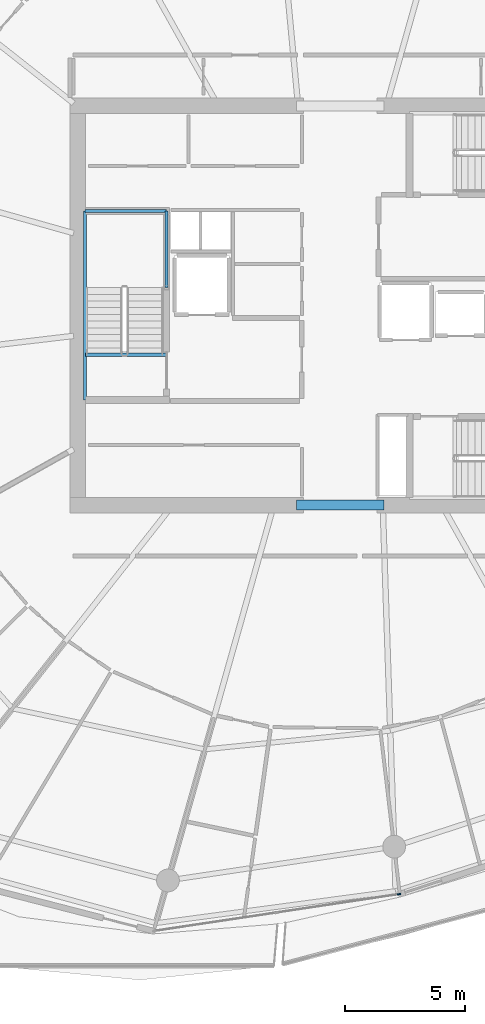
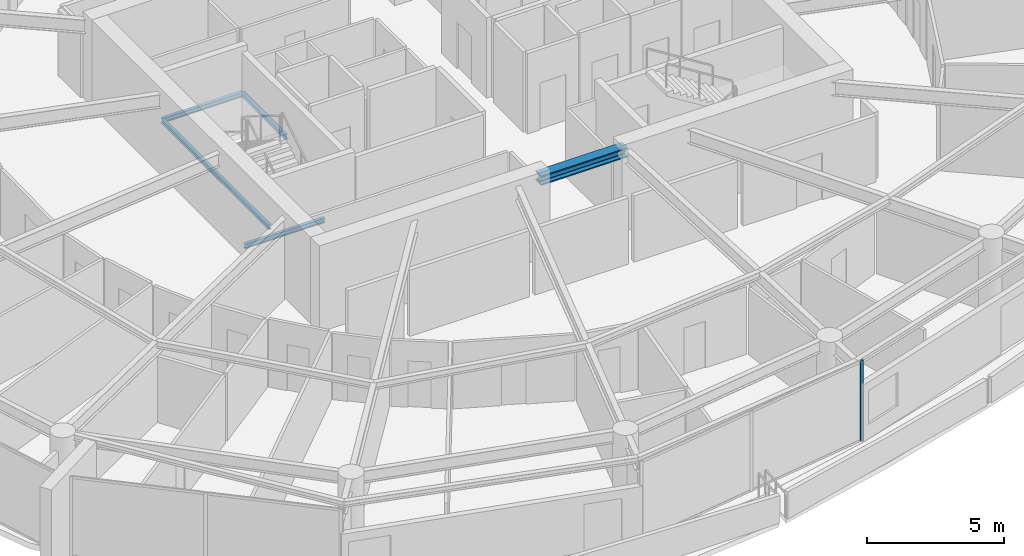
# One storey, part 9 of 31: 5 beams, 1 member, 1 element without a shape of its own.
"""IFC4 building model written with IfcOpenShell, lengths in metres."""

from ifc_helpers import new_model, si_unit, direction, frame, origin, origin_2d, place, context, subcontext, project, spatial, rectangle, i_section, extrude, material, layer, layer_set, material_profile, profile_set, type_object, element, aggregate, save


model = new_model("IFC4")

# Units and contexts
model_context = context("Model", 3, precision=1e-05, world=origin(), true_north=direction((0.0, 1.0)))
body_context = subcontext(model_context, "Body", "Model", "MODEL_VIEW")
ifc_project = project(units=[si_unit("LENGTHUNIT", "METRE"), si_unit("AREAUNIT", "SQUARE_METRE"), si_unit("VOLUMEUNIT", "CUBIC_METRE"), si_unit("PLANEANGLEUNIT", "RADIAN"), si_unit("MASSUNIT", "GRAM", prefix="KILO")], contexts=[model_context])

# Site, building, storey
site_placement = place(None, origin())
site = spatial("IfcSite", under=ifc_project, at=site_placement, CompositionType="ELEMENT")
building_placement = place(site_placement, origin())
building = spatial("IfcBuilding", under=site, at=building_placement, Name="Kazma Halo Residences", CompositionType="ELEMENT")
storey_placement = place(building_placement, frame((0.0, 0.0, 248.25)))
storey = spatial("IfcBuildingStorey", under=building, at=storey_placement, Name="L62", CompositionType="ELEMENT", Elevation=248.25)

# Beams
ifc_material_1 = material(Name="Steel S355", Category="steel")
ifc_material_profile_1 = material_profile(ifc_material_1, i_section(OverallWidth=0.408935546875, OverallDepth=0.425048828125, WebThickness=0.03271484375, FlangeThickness=0.052490234375, FilletRadius=0.02001953125, at=origin_2d()), Name="W360x421")
ifc_profile_set_1 = profile_set([ifc_material_profile_1], Name="Steel S355")
beam_type_1 = type_object("IfcBeamType", Name="BM-CORE-W360H", PredefinedType="BEAM", material=ifc_profile_set_1)
beam_1_placement = place(storey_placement, frame((46.60009765625, 33.675048828125, 3.37744140625), z_axis=(1.0, 0.0, 0.0), x_axis=(0.0, 1.0, 0.0)))
element("IfcBeam", 1, at=beam_1_placement, inside=storey, type_object=beam_type_1, Name="L62 core coupling beam S", PredefinedType="BEAM", context=body_context, shape_type="SweptSolid", body=[
    extrude(i_section(OverallWidth=0.408935546875, OverallDepth=0.425048828125, WebThickness=0.03271484375, FlangeThickness=0.052490234375, FilletRadius=0.02001953125, at=origin_2d()), origin(), (0.0, 0.0, 1.0), 3.64990234375),
])
ifc_material_profile_2 = material_profile(ifc_material_1, i_section(OverallWidth=0.133056640625, OverallDepth=0.20703125, WebThickness=0.005859375, FlangeThickness=0.00830078125, FilletRadius=0.010009765625, at=origin_2d()), Name="W200x26.6")
ifc_profile_set_2 = profile_set([ifc_material_profile_2], Name="Steel S355")
beam_type_2 = type_object("IfcBeamType", Name="BM-TRIM-W200", PredefinedType="BEAM", material=ifc_profile_set_2)
beam_2_placement = place(storey_placement, frame((37.800048828125, 39.949951171875, -0.3701171875), z_axis=(1.0, 0.0, 0.0), x_axis=(0.0, 1.0, 0.0)))
element("IfcBeam", 2, at=beam_2_placement, inside=storey, type_object=beam_type_2, Name="L62 ST-01 floor landing support beam", PredefinedType="BEAM", context=body_context, shape_type="SweptSolid", body=[
    extrude(i_section(OverallWidth=0.133056640625, OverallDepth=0.20703125, WebThickness=0.005859375, FlangeThickness=0.00830078125, FilletRadius=0.010009765625, at=origin_2d()), origin(), (0.0, 0.0, 1.0), 3.3798828125),
])
beam_3_placement = place(storey_placement, frame((37.780029296875, 38.06005859375, 1.6201171875), z_axis=(0.0, 1.0, 0.0), x_axis=(-1.0, 0.0, 0.0)))
element("IfcBeam", 3, at=beam_3_placement, inside=storey, type_object=beam_type_2, Name="L62 ST-01 landing west wall ledger", PredefinedType="BEAM", context=body_context, shape_type="SweptSolid", body=[
    extrude(i_section(OverallWidth=0.133056640625, OverallDepth=0.20703125, WebThickness=0.005859375, FlangeThickness=0.00830078125, FilletRadius=0.010009765625, at=origin_2d()), origin(), (0.0, 0.0, 1.0), 7.8798828125),
])
beam_4_placement = place(storey_placement, frame((41.179931640625, 42.75, 1.6201171875), z_axis=(0.0, 1.0, 0.0), x_axis=(-1.0, 0.0, 0.0)))
element("IfcBeam", 4, at=beam_4_placement, inside=storey, type_object=beam_type_2, Name="L62 ST-01 landing east wall ledger", PredefinedType="BEAM", context=body_context, shape_type="SweptSolid", body=[
    extrude(i_section(OverallWidth=0.133056640625, OverallDepth=0.20703125, WebThickness=0.005859375, FlangeThickness=0.00830078125, FilletRadius=0.010009765625, at=origin_2d()), origin(), (0.0, 0.0, 1.0), 3.18994140625),
])
beam_5_placement = place(storey_placement, frame((37.780029296875, 45.93994140625, 1.6201171875), z_axis=(1.0, 0.0, 0.0), x_axis=(0.0, 1.0, 0.0)))
element("IfcBeam", 5, at=beam_5_placement, inside=storey, type_object=beam_type_2, Name="L62 ST-01 landing end wall ledger", PredefinedType="BEAM", context=body_context, shape_type="SweptSolid", body=[
    extrude(i_section(OverallWidth=0.133056640625, OverallDepth=0.20703125, WebThickness=0.005859375, FlangeThickness=0.00830078125, FilletRadius=0.010009765625, at=origin_2d()), origin(), (0.0, 0.0, 1.0), 3.39990234375),
])

# Curtain wall, member
ifc_material_2 = material(Name="Aluminium AW-6063 T6 and Triple-Silver Low-E Glass", Category="aluminium")
ifc_layer = layer(ifc_material_2, 0.139892578125)
ifc_layer_set = layer_set([ifc_layer], Name="Aluminium AW-6063 T6 and Triple-Silver Low-E Glass")
curtain_wall_type = type_object("IfcCurtainWallType", Name="CW-SYS-5", PredefinedType="NOTDEFINED", material=ifc_layer_set)
curtain_wall_placement = place(storey_placement, origin())
curtain_wall = element("IfcCurtainWall", 6, at=curtain_wall_placement, inside=storey, type_object=curtain_wall_type, Name="L62 unitised curtain wall B11", PredefinedType="NOTDEFINED")
ifc_material_3 = material(Name="Aluminium AW-6063 T6", Category="aluminium")
ifc_material_profile_3 = material_profile(ifc_material_3, rectangle(XDim=0.06005859375, YDim=0.139892578125, at=origin_2d()), Name="CWM-60x140")
ifc_profile_set_3 = profile_set([ifc_material_profile_3], Name="Aluminium AW-6063 T6")
member_type = type_object("IfcMemberType", Name="CW-SYS-5-MUL", PredefinedType="MULLION", material=ifc_profile_set_3)
member_placement = place(storey_placement, frame((50.875732421875, 17.447265625, 0.0), z_axis=(0.0, 0.0, 1.0), x_axis=(-0.148697080374, 0.988882792998, 0.0)))
member = element("IfcMember", 7, at=member_placement, type_object=member_type, Name="CWS-5 mullion 3", PredefinedType="MULLION", context=body_context, shape_type="SweptSolid", body=[
    extrude(rectangle(XDim=0.06005859375, YDim=0.139892578125, at=origin_2d()), origin(), (0.0, 0.0, 1.0), 3.590087890625),
])
aggregate(curtain_wall, [member])

save(model, "model.ifc")
